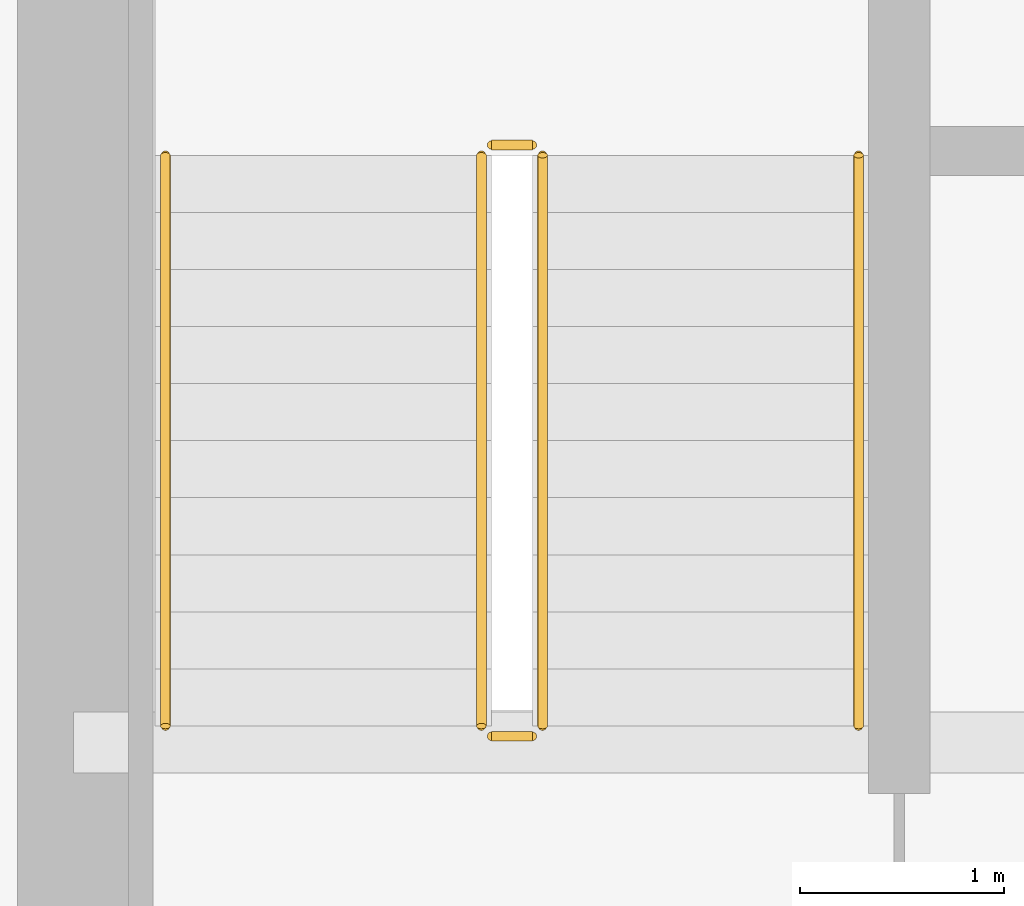
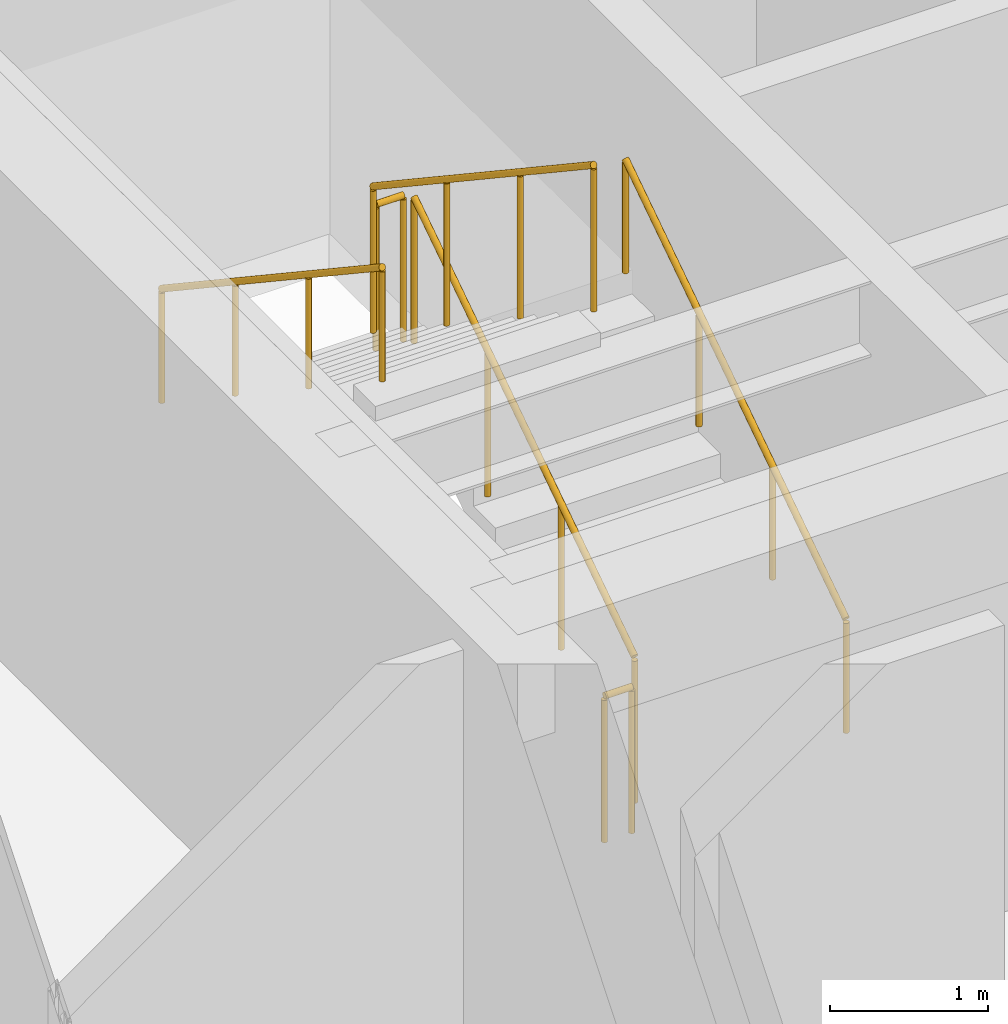
# One storey, part 32 of 33: 6 railings.
"""IFC4 building model written with IfcOpenShell, lengths in metres."""

from ifc_helpers import new_model, si_unit, direction, frame, origin, origin_2d, place, context, subcontext, project, spatial, circle, extrude, source, transform, mapped, material, type_object, type_shapes, element, save


model = new_model("IFC4")

# Units and contexts
model_context = context("Model", 3, precision=1e-05, world=origin(), true_north=direction((0.0, 1.0)))
body_context = subcontext(model_context, "Body", "Model", "MODEL_VIEW")
ifc_project = project(units=[si_unit("LENGTHUNIT", "METRE"), si_unit("AREAUNIT", "SQUARE_METRE"), si_unit("VOLUMEUNIT", "CUBIC_METRE"), si_unit("PLANEANGLEUNIT", "RADIAN"), si_unit("MASSUNIT", "GRAM", prefix="KILO")], contexts=[model_context])

# Site, building, storey
site_placement = place(None, origin())
site = spatial("IfcSite", under=ifc_project, at=site_placement, CompositionType="ELEMENT")
building_placement = place(site_placement, origin())
building = spatial("IfcBuilding", under=site, at=building_placement, Name="Haelvirn Gate Laboratories", CompositionType="ELEMENT")
storey_placement = place(building_placement, frame((0.0, 0.0, 213.699951171875)))
storey = spatial("IfcBuildingStorey", under=building, at=storey_placement, Name="L51", CompositionType="ELEMENT", Elevation=213.699951171875)

# Railings
ifc_material_1 = material(Name="Galvanised steel SM355 & stainless top rail", Category="steel")
railing_type_1 = type_object("IfcRailingType", Name="RL-GUARD-1150", PredefinedType="GUARDRAIL", material=ifc_material_1)
shared_shape_1 = source(origin(), body_context, "Body", "SweptSolid", [
    extrude(circle(Radius=0.02392578125, at=origin_2d()), frame((0.0, 0.0, 1.1259765625), z_axis=(-1.0, 0.0, 0.0), x_axis=(0.0, -1.0, 0.0)), (0.0, 0.0, 1.0), 0.199951171875),
    extrude(circle(Radius=0.02099609375, at=origin_2d()), origin(), (0.0, 0.0, 1.0), 1.101806640625),
    extrude(circle(Radius=0.02099609375, at=origin_2d()), frame((-0.199951171875, 0.0, 0.0)), (0.0, 0.0, 1.0), 1.101806640625),
])
for number, where, name in (
    (1, (9.64990234375, 29.550048828125, 2.050048828125), "L51 ST1 stair guard 2"),
    (2, (9.64990234375, 26.64990234375, 0.0), "L51 ST1 stair guard 4"),
):
    element("IfcRailing", number, at=place(storey_placement, frame(where)), inside=storey, type_object=railing_type_1, Name=name, PredefinedType="GUARDRAIL", context=body_context, shape_type="MappedRepresentation", body=[
        mapped(shared_shape_1, transform((0.0, 0.0, 0.0), scale=1.0)),
    ])
shared_shape_2 = source(origin(), body_context, "Body", "SweptSolid", [
    extrude(circle(Radius=0.02392578125, at=origin_2d()), frame((0.0, 0.0, 1.1259765625), z_axis=(0.0, 0.832485552168, 0.554046753832), x_axis=(-1.0, 0.0, 0.0)), (0.0, 0.0, 1.0), 3.363525390625),
    extrude(circle(Radius=0.02099609375, at=origin_2d()), origin(), (0.0, 0.0, 1.0), 1.101806640625),
    extrude(circle(Radius=0.02099609375, at=origin_2d()), frame((0.0, 0.933349609375, 0.62109375)), (0.0, 0.0, 1.0), 1.101806640625),
    extrude(circle(Radius=0.02099609375, at=origin_2d()), frame((0.0, 1.86669921875, 1.242431640625)), (0.0, 0.0, 1.0), 1.101806640625),
    extrude(circle(Radius=0.02099609375, at=origin_2d()), frame((0.0, 2.800048828125, 1.863525390625)), (0.0, 0.0, 1.0), 1.101806640625),
])
railing_1_placement = place(storey_placement, frame((9.699951171875, 26.699951171875, 0.1865234375)))
element("IfcRailing", 3, at=railing_1_placement, inside=storey, type_object=railing_type_1, Name="L51 ST1 stair guard 1", PredefinedType="GUARDRAIL", context=body_context, shape_type="MappedRepresentation", body=[
    mapped(shared_shape_2, transform((0.0, 0.0, 0.0), scale=1.0)),
])
shared_shape_3 = source(origin(), body_context, "Body", "SweptSolid", [
    extrude(circle(Radius=0.02392578125, at=origin_2d()), frame((0.0, 0.0, 1.1259765625), z_axis=(0.0, -0.832452072856, 0.554097055034), x_axis=(1.0, 0.0, 0.0)), (0.0, 0.0, 1.0), 3.363525390625),
    extrude(circle(Radius=0.02099609375, at=origin_2d()), origin(), (0.0, 0.0, 1.0), 1.101806640625),
    extrude(circle(Radius=0.02099609375, at=origin_2d()), frame((0.0, -0.933349609375, 0.621337890625)), (0.0, 0.0, 1.0), 1.101806640625),
    extrude(circle(Radius=0.02099609375, at=origin_2d()), frame((0.0, -1.86669921875, 1.242431640625)), (0.0, 0.0, 1.0), 1.101806640625),
    extrude(circle(Radius=0.02099609375, at=origin_2d()), frame((0.0, -2.800048828125, 1.86376953125)), (0.0, 0.0, 1.0), 1.101806640625),
])
type_shapes(railing_type_1, [shared_shape_1, shared_shape_2, shared_shape_3])
railing_2_placement = place(storey_placement, frame((9.39990234375, 29.5, 2.236328125)))
element("IfcRailing", 4, at=railing_2_placement, inside=storey, type_object=railing_type_1, Name="L51 ST1 stair guard 3", PredefinedType="GUARDRAIL", context=body_context, shape_type="MappedRepresentation", body=[
    mapped(shared_shape_3, transform((0.0, 0.0, 0.0), scale=1.0)),
])
ifc_material_2 = material(Name="Brushed stainless steel 316L", Category="steel")
railing_type_2 = type_object("IfcRailingType", Name="RL-HAND-920", PredefinedType="HANDRAIL", material=ifc_material_2)
shared_shape_4 = source(origin(), body_context, "Body", "SweptSolid", [
    extrude(circle(Radius=0.02392578125, at=origin_2d()), frame((0.0, 0.0, 0.8759765625), z_axis=(0.0, 0.832485552168, 0.554046753832), x_axis=(-1.0, 0.0, 0.0)), (0.0, 0.0, 1.0), 3.363525390625),
    extrude(circle(Radius=0.02099609375, at=origin_2d()), origin(), (0.0, 0.0, 1.0), 0.851806640625),
    extrude(circle(Radius=0.02099609375, at=origin_2d()), frame((0.0, 0.933349609375, 0.62109375)), (0.0, 0.0, 1.0), 0.851806640625),
    extrude(circle(Radius=0.02099609375, at=origin_2d()), frame((0.0, 1.86669921875, 1.242431640625)), (0.0, 0.0, 1.0), 0.851806640625),
    extrude(circle(Radius=0.02099609375, at=origin_2d()), frame((0.0, 2.800048828125, 1.863525390625)), (0.0, 0.0, 1.0), 0.851806640625),
])
railing_3_placement = place(storey_placement, frame((11.25, 26.699951171875, 0.1865234375)))
element("IfcRailing", 5, at=railing_3_placement, inside=storey, type_object=railing_type_2, Name="L51 ST1 stair handrail 1", PredefinedType="HANDRAIL", context=body_context, shape_type="MappedRepresentation", body=[
    mapped(shared_shape_4, transform((0.0, 0.0, 0.0), scale=1.0)),
])
shared_shape_5 = source(origin(), body_context, "Body", "SweptSolid", [
    extrude(circle(Radius=0.02392578125, at=origin_2d()), frame((0.0, 0.0, 0.8759765625), z_axis=(0.0, -0.832452072856, 0.554097055034), x_axis=(1.0, 0.0, 0.0)), (0.0, 0.0, 1.0), 3.363525390625),
    extrude(circle(Radius=0.02099609375, at=origin_2d()), origin(), (0.0, 0.0, 1.0), 0.851806640625),
    extrude(circle(Radius=0.02099609375, at=origin_2d()), frame((0.0, -0.933349609375, 0.621337890625)), (0.0, 0.0, 1.0), 0.851806640625),
    extrude(circle(Radius=0.02099609375, at=origin_2d()), frame((0.0, -1.86669921875, 1.242431640625)), (0.0, 0.0, 1.0), 0.851806640625),
    extrude(circle(Radius=0.02099609375, at=origin_2d()), frame((0.0, -2.800048828125, 1.86376953125)), (0.0, 0.0, 1.0), 0.851806640625),
])
type_shapes(railing_type_2, [shared_shape_4, shared_shape_5])
railing_4_placement = place(storey_placement, frame((7.85009765625, 29.5, 2.236328125)))
element("IfcRailing", 6, at=railing_4_placement, inside=storey, type_object=railing_type_2, Name="L51 ST1 stair handrail 2", PredefinedType="HANDRAIL", context=body_context, shape_type="MappedRepresentation", body=[
    mapped(shared_shape_5, transform((0.0, 0.0, 0.0), scale=1.0)),
])

save(model, "model.ifc")
